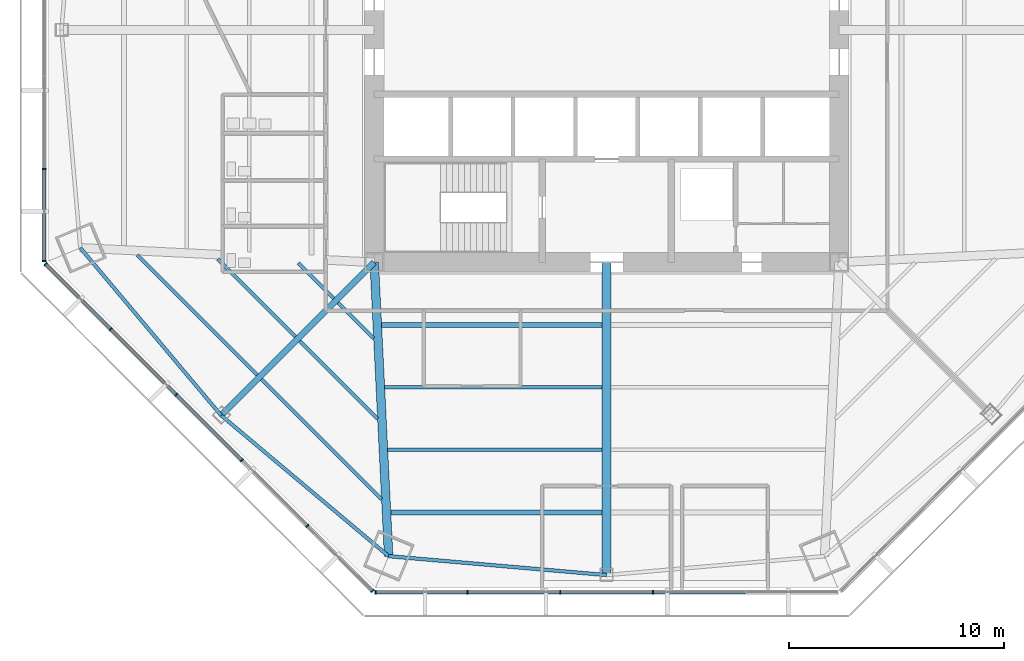
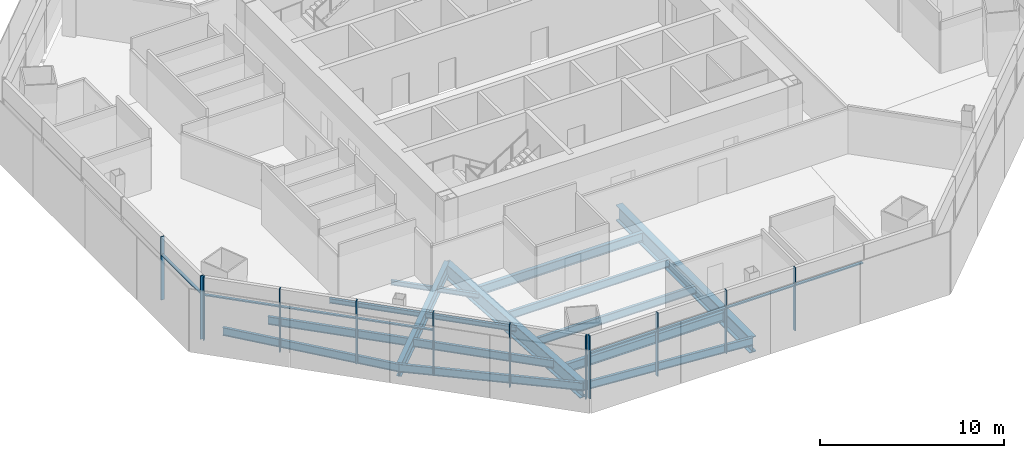
# One storey, part 2 of 15: 20 members, 16 beams, 3 elements without a shape of their own.
"""IFC4 building model written with IfcOpenShell, lengths in metres."""

from ifc_helpers import new_model, si_unit, direction, frame, origin, origin_2d, place, context, subcontext, project, spatial, rectangle, i_section, extrude, source, transform, mapped, material, material_profile, profile_set, type_object, type_shapes, element, aggregate, save


model = new_model("IFC4")

# Units and contexts
model_context = context("Model", 3, precision=1e-05, world=origin(), true_north=direction((0.0, 1.0)))
body_context = subcontext(model_context, "Body", "Model", "MODEL_VIEW")
ifc_project = project(units=[si_unit("LENGTHUNIT", "METRE"), si_unit("AREAUNIT", "SQUARE_METRE"), si_unit("VOLUMEUNIT", "CUBIC_METRE"), si_unit("PLANEANGLEUNIT", "RADIAN"), si_unit("MASSUNIT", "GRAM", prefix="KILO")], contexts=[model_context])

# Site, building, storey
site_placement = place(None, origin())
site = spatial("IfcSite", under=ifc_project, at=site_placement, CompositionType="ELEMENT")
building_placement = place(site_placement, origin())
building = spatial("IfcBuilding", under=site, at=building_placement, Name="Mashrafa Tower", CompositionType="ELEMENT")
storey_placement = place(building_placement, frame((0.0, 0.0, 66.60009765625)))
storey = spatial("IfcBuildingStorey", under=building, at=storey_placement, Name="L14", CompositionType="ELEMENT", Elevation=66.60009765625)

# Beams
ifc_material_1 = material(Name="Steel ASTM A992", Category="steel")
ifc_material_profile_1 = material_profile(ifc_material_1, i_section(OverallWidth=0.164794921875, OverallDepth=0.309814453125, WebThickness=0.005859375, FlangeThickness=0.009765625, FilletRadius=0.007568359375, at=origin_2d()), Name="W12X26")
ifc_profile_set_1 = profile_set([ifc_material_profile_1], Name="Steel ASTM A992")
beam_type_1 = type_object("IfcBeamType", Name="Beam W12X26", PredefinedType="BEAM", material=ifc_profile_set_1)
beam_1_placement = place(storey_placement, frame((-14.460693359375, -14.254150390625, -0.320068359375), z_axis=(-0.707106781187, 0.707106781187, 0.0), x_axis=(-0.707106781187, -0.707106781187, 0.0)))
element("IfcBeam", 1, at=beam_1_placement, inside=storey, type_object=beam_type_1, Name="Floor beam L14 012", PredefinedType="BEAM", context=body_context, shape_type="SweptSolid", body=[
    extrude(i_section(OverallWidth=0.164794921875, OverallDepth=0.309814453125, WebThickness=0.005859375, FlangeThickness=0.009765625, FilletRadius=0.007568359375, at=origin_2d()), origin(), (0.0, 0.0, 1.0), 5.104736328125),
])
for number, where, z_axis, x_axis, name in (
    (2, (-12.681884765625, -12.475341796875, -0.320068359375), (-0.707159169168, 0.707054389324, 0.0), (-0.707054389324, -0.707159169168, 0.0), "Floor beam L14 016"),
    (3, (-10.827880859375, -14.32958984375, -0.320068359375), (-0.707054389324, 0.707159169168, 0.0), (-0.707159169168, -0.707054389324, 0.0), "Floor beam L14 019"),
):
    element("IfcBeam", number, at=place(storey_placement, frame(where, z_axis=z_axis, x_axis=x_axis)), inside=storey, type_object=beam_type_1, Name=name, PredefinedType="BEAM", context=body_context, shape_type="SweptSolid", body=[
        extrude(i_section(OverallWidth=0.164794921875, OverallDepth=0.309814453125, WebThickness=0.005859375, FlangeThickness=0.009765625, FilletRadius=0.007568359375, at=origin_2d()), origin(), (0.0, 0.0, 1.0), 2.330078125),
    ])
beam_2_placement = place(storey_placement, frame((-10.64453125, -18.0703125, -0.320068359375), z_axis=(-0.707106781187, 0.707106781187, 0.0), x_axis=(-0.707106781187, -0.707106781187, 0.0)))
element("IfcBeam", 4, at=beam_2_placement, inside=storey, type_object=beam_type_1, Name="Floor beam L14 021", PredefinedType="BEAM", context=body_context, shape_type="SweptSolid", body=[
    extrude(i_section(OverallWidth=0.164794921875, OverallDepth=0.309814453125, WebThickness=0.005859375, FlangeThickness=0.009765625, FilletRadius=0.007568359375, at=origin_2d()), origin(), (0.0, 0.0, 1.0), 5.104736328125),
])
ifc_material_2 = material(Name="Steel ASTM A992", Category="steel")
ifc_material_profile_2 = material_profile(ifc_material_2, i_section(OverallWidth=0.165771484375, OverallDepth=0.5283203125, WebThickness=0.009765625, FlangeThickness=0.013671875, FilletRadius=0.012939453125, at=origin_2d()), Name="W21X50")
ifc_profile_set_2 = profile_set([ifc_material_profile_2], Name="Steel ASTM A992")
beam_type_2 = type_object("IfcBeamType", Name="Beam W21X50", PredefinedType="BEAM", material=ifc_profile_set_2)
for number, where, z_axis, x_axis, name in (
    (5, (-16.239501953125, -16.03271484375, -0.42919921875), (-0.707106781187, 0.707106781187, 0.0), (-0.707106781187, -0.707106781187, 0.0), "Floor beam L14 009"),
    (6, (-10.461181640625, -21.81103515625, -0.42919921875), (-0.707106781187, 0.707106781187, 0.0), (-0.707106781187, -0.707106781187, 0.0), "Floor beam L14 023"),
):
    element("IfcBeam", number, at=place(storey_placement, frame(where, z_axis=z_axis, x_axis=x_axis)), inside=storey, type_object=beam_type_2, Name=name, PredefinedType="BEAM", context=body_context, shape_type="SweptSolid", body=[
        extrude(i_section(OverallWidth=0.165771484375, OverallDepth=0.5283203125, WebThickness=0.009765625, FlangeThickness=0.013671875, FilletRadius=0.012939453125, at=origin_2d()), origin(), (0.0, 0.0, 1.0), 7.87939453125),
    ])
beam_3_placement = place(storey_placement, frame((-0.20458984375, -19.521240234375, -0.42919921875), z_axis=(-1.0, 0.0, 0.0), x_axis=(0.0, -1.0, 0.0)))
element("IfcBeam", 7, at=beam_3_placement, inside=storey, type_object=beam_type_2, Name="Floor beam L14 026", PredefinedType="BEAM", context=body_context, shape_type="SweptSolid", body=[
    extrude(i_section(OverallWidth=0.165771484375, OverallDepth=0.5283203125, WebThickness=0.009765625, FlangeThickness=0.013671875, FilletRadius=0.012939453125, at=origin_2d()), origin(), (0.0, 0.0, 1.0), 9.967041015625),
])
beam_4_placement = place(storey_placement, frame((-0.20458984375, -16.6142578125, -0.42919921875), z_axis=(-1.0, 0.0, 0.0), x_axis=(0.0, -1.0, 0.0)))
element("IfcBeam", 8, at=beam_4_placement, inside=storey, type_object=beam_type_2, Name="Floor beam L14 027", PredefinedType="BEAM", context=body_context, shape_type="SweptSolid", body=[
    extrude(i_section(OverallWidth=0.165771484375, OverallDepth=0.5283203125, WebThickness=0.009765625, FlangeThickness=0.013671875, FilletRadius=0.012939453125, at=origin_2d()), origin(), (0.0, 0.0, 1.0), 10.109619140625),
])
for number, where, z_axis, x_axis, name in (
    (9, (-24.457275390625, -10.130615234375, -0.42919921875), (0.643409408254, -0.765522261839, 0.0), (0.765522261839, 0.643409408254, 0.0), "Spandrel beam L14 074"),
    (10, (-17.914794921875, -17.914794921875, -0.42919921875), (0.765522261839, -0.643409408254, 0.0), (0.643409408254, 0.765522261839, 0.0), "Spandrel beam L14 076"),
):
    element("IfcBeam", number, at=place(storey_placement, frame(where, z_axis=z_axis, x_axis=x_axis)), inside=storey, type_object=beam_type_2, Name=name, PredefinedType="BEAM", context=body_context, shape_type="SweptSolid", body=[
        extrude(i_section(OverallWidth=0.165771484375, OverallDepth=0.5283203125, WebThickness=0.009765625, FlangeThickness=0.013671875, FilletRadius=0.012939453125, at=origin_2d()), origin(), (0.0, 0.0, 1.0), 10.16845703125),
    ])
beam_5_placement = place(storey_placement, frame((-10.130615234375, -24.457275390625, -0.42919921875), z_axis=(0.996263885627, -0.08636127718, 0.0), x_axis=(0.08636127718, 0.996263885627, 0.0)))
element("IfcBeam", 11, at=beam_5_placement, inside=storey, type_object=beam_type_2, Name="Spandrel beam L14 078", PredefinedType="BEAM", context=body_context, shape_type="SweptSolid", body=[
    extrude(i_section(OverallWidth=0.165771484375, OverallDepth=0.5283203125, WebThickness=0.009765625, FlangeThickness=0.013671875, FilletRadius=0.012939453125, at=origin_2d()), origin(), (0.0, 0.0, 1.0), 10.168701171875),
])
ifc_material_3 = material(Name="Steel ASTM A992", Category="steel")
ifc_material_profile_3 = material_profile(ifc_material_3, i_section(OverallWidth=0.227783203125, OverallDepth=0.60205078125, WebThickness=0.010498046875, FlangeThickness=0.014892578125, FilletRadius=0.012939453125, at=origin_2d()), Name="W24X68")
ifc_profile_set_3 = profile_set([ifc_material_profile_3], Name="Steel ASTM A992")
beam_type_3 = type_object("IfcBeamType", Name="Beam W24X68", PredefinedType="BEAM", material=ifc_profile_set_3)
beam_6_placement = place(storey_placement, frame((-0.20458984375, -22.42822265625, -0.466064453125), z_axis=(-1.0, 0.0, 0.0), x_axis=(0.0, -1.0, 0.0)))
element("IfcBeam", 12, at=beam_6_placement, inside=storey, type_object=beam_type_3, Name="Floor beam L14 025", PredefinedType="BEAM", context=body_context, shape_type="SweptSolid", body=[
    extrude(i_section(OverallWidth=0.227783203125, OverallDepth=0.60205078125, WebThickness=0.010498046875, FlangeThickness=0.014892578125, FilletRadius=0.012939453125, at=origin_2d()), origin(), (0.0, 0.0, 1.0), 9.824462890625),
])
beam_7_placement = place(storey_placement, frame((-0.20458984375, -13.70703125, -0.466064453125), z_axis=(-1.0, 0.0, 0.0), x_axis=(0.0, -1.0, 0.0)))
element("IfcBeam", 13, at=beam_7_placement, inside=storey, type_object=beam_type_3, Name="Floor beam L14 028", PredefinedType="BEAM", context=body_context, shape_type="SweptSolid", body=[
    extrude(i_section(OverallWidth=0.227783203125, OverallDepth=0.60205078125, WebThickness=0.010498046875, FlangeThickness=0.014892578125, FilletRadius=0.012939453125, at=origin_2d()), origin(), (0.0, 0.0, 1.0), 10.251953125),
])
ifc_material_4 = material(Name="Steel ASTM A992", Category="steel")
ifc_material_profile_4 = material_profile(ifc_material_4, i_section(OverallWidth=0.2919921875, OverallDepth=0.8583984375, WebThickness=0.01708984375, FlangeThickness=0.031005859375, FilletRadius=0.017822265625, at=origin_2d()), Name="W33X169")
ifc_profile_set_4 = profile_set([ifc_material_profile_4], Name="Steel ASTM A992")
beam_type_4 = type_object("IfcBeamType", Name="Beam W33X169", PredefinedType="BEAM", material=ifc_profile_set_4)
beam_8_placement = place(storey_placement, frame((-10.800048828125, -10.800048828125, -0.59423828125), z_axis=(-0.707106781187, -0.707106781187, 0.0), x_axis=(0.707106781187, -0.707106781187, 0.0)))
element("IfcBeam", 14, at=beam_8_placement, inside=storey, type_object=beam_type_4, Name="Radial girder L14 058", PredefinedType="BEAM", context=body_context, shape_type="SweptSolid", body=[
    extrude(i_section(OverallWidth=0.2919921875, OverallDepth=0.8583984375, WebThickness=0.01708984375, FlangeThickness=0.031005859375, FilletRadius=0.017822265625, at=origin_2d()), origin(), (0.0, 0.0, 1.0), 10.061767578125),
])
ifc_material_5 = material(Name="Steel ASTM A992", Category="steel")
ifc_material_profile_5 = material_profile(ifc_material_5, i_section(OverallWidth=0.4013671875, OverallDepth=1.010986328125, WebThickness=0.023681640625, FlangeThickness=0.0419921875, FilletRadius=0.02001953125, at=origin_2d()), Name="W40X297")
ifc_profile_set_5 = profile_set([ifc_material_profile_5], Name="Steel ASTM A992")
beam_type_5 = type_object("IfcBeamType", Name="Beam W40X297", PredefinedType="BEAM", material=ifc_profile_set_5)
beam_9_placement = place(storey_placement, frame((-10.800048828125, -10.800048828125, -0.670654296875), z_axis=(0.048958024577, -0.998800836919, 0.0), x_axis=(0.998800836919, 0.048958024577, 0.0)))
element("IfcBeam", 15, at=beam_9_placement, inside=storey, type_object=beam_type_5, Name="Radial girder L14 059", PredefinedType="BEAM", context=body_context, shape_type="SweptSolid", body=[
    extrude(i_section(OverallWidth=0.4013671875, OverallDepth=1.010986328125, WebThickness=0.023681640625, FlangeThickness=0.0419921875, FilletRadius=0.02001953125, at=origin_2d()), origin(), (0.0, 0.0, 1.0), 13.673583984375),
])
ifc_material_6 = material(Name="Steel ASTM A992", Category="steel")
ifc_material_profile_6 = material_profile(ifc_material_6, i_section(OverallWidth=0.408935546875, OverallDepth=1.04150390625, WebThickness=0.031005859375, FlangeThickness=0.055908203125, FilletRadius=0.020263671875, at=origin_2d()), Name="W40X397")
ifc_profile_set_6 = profile_set([ifc_material_profile_6], Name="Steel ASTM A992")
beam_type_6 = type_object("IfcBeamType", Name="Beam W40X397", PredefinedType="BEAM", material=ifc_profile_set_6)
beam_10_placement = place(storey_placement, frame((0.0, -10.800048828125, -0.685791015625), z_axis=(0.0, -1.0, 0.0), x_axis=(1.0, 0.0, 0.0)))
element("IfcBeam", 16, at=beam_10_placement, inside=storey, type_object=beam_type_6, Name="Radial girder L14 064", PredefinedType="BEAM", context=body_context, shape_type="SweptSolid", body=[
    extrude(i_section(OverallWidth=0.408935546875, OverallDepth=1.04150390625, WebThickness=0.031005859375, FlangeThickness=0.055908203125, FilletRadius=0.020263671875, at=origin_2d()), origin(), (0.0, 0.0, 1.0), 14.535400390625),
])

# Curtain wall, members
ifc_material_7 = material(Name="Unitised aluminium curtain wall", Category="aluminium")
curtain_wall_type = type_object("IfcCurtainWallType", Name="Office curtain wall, zone 1 CW-A 200 deep", PredefinedType="NOTDEFINED", material=ifc_material_7)
curtain_wall_1_placement = place(storey_placement, origin())
curtain_wall_1 = element("IfcCurtainWall", 17, at=curtain_wall_1_placement, inside=storey, type_object=curtain_wall_type, Name="Office curtain wall, zone 1 L14 west", PredefinedType="NOTDEFINED")
ifc_material_8 = material(Name="Extruded aluminium mullion", Category="aluminium")
ifc_material_profile_7 = material_profile(ifc_material_8, rectangle(XDim=0.199951171875, YDim=0.06494140625, at=origin_2d()), Name="Mullion 65x200")
ifc_profile_set_7 = profile_set([ifc_material_profile_7], Name="Extruded aluminium mullion")
member_type_1 = type_object("IfcMemberType", Name="Mullion CW-A 65 x 200", PredefinedType="MULLION", material=ifc_profile_set_7)
shared_shape_1 = source(origin(), body_context, "Body", "SweptSolid", [
    extrude(rectangle(XDim=0.199951171875, YDim=0.06494140625, at=origin_2d()), origin(), (0.0, 0.0, 1.0), 4.199951171875),
])
type_shapes(member_type_1, [shared_shape_1])
member_1_placement = place(storey_placement, frame((-26.130615234375, -6.46337890625, 0.0), z_axis=(0.0, 0.0, 1.0), x_axis=(1.0, 0.0, 0.0)))
member_1 = element("IfcMember", 18, at=member_1_placement, type_object=member_type_1, Name="CW-A mullion 5", PredefinedType="MULLION", context=body_context, shape_type="MappedRepresentation", body=[
    mapped(shared_shape_1, transform((0.0, 0.0, 0.0))),
])
member_2_placement = place(storey_placement, frame((-26.130615234375, -10.73974609375, 0.0), z_axis=(0.0, 0.0, 1.0), x_axis=(1.0, 0.0, 0.0)))
member_2 = element("IfcMember", 19, at=member_2_placement, type_object=member_type_1, Name="CW-A mullion 6", PredefinedType="MULLION", context=body_context, shape_type="MappedRepresentation", body=[
    mapped(shared_shape_1, transform((0.0, 0.0, 0.0))),
])

curtain_wall_2_placement = place(storey_placement, origin())
curtain_wall_2 = element("IfcCurtainWall", 20, at=curtain_wall_2_placement, inside=storey, type_object=curtain_wall_type, Name="Office curtain wall, zone 1 L14 south-west", PredefinedType="NOTDEFINED")
member_3_placement = place(storey_placement, frame((-26.0712890625, -10.883056640625, 0.0), z_axis=(0.0, 0.0, 1.0), x_axis=(0.707106781187, 0.707106781187, 0.0)))
member_3 = element("IfcMember", 21, at=member_3_placement, type_object=member_type_1, Name="CW-A mullion 1", PredefinedType="MULLION", context=body_context, shape_type="MappedRepresentation", body=[
    mapped(shared_shape_1, transform((0.0, 0.0, 0.0))),
])
member_4_placement = place(storey_placement, frame((-23.04736328125, -13.906982421875, 0.0), z_axis=(0.0, 0.0, 1.0), x_axis=(0.707106781187, 0.707106781187, 0.0)))
member_4 = element("IfcMember", 22, at=member_4_placement, type_object=member_type_1, Name="CW-A mullion 2", PredefinedType="MULLION", context=body_context, shape_type="MappedRepresentation", body=[
    mapped(shared_shape_1, transform((0.0, 0.0, 0.0))),
])
member_5_placement = place(storey_placement, frame((-20.000732421875, -16.953857421875, 0.0), z_axis=(0.0, 0.0, 1.0), x_axis=(0.707106781187, 0.707106781187, 0.0)))
member_5 = element("IfcMember", 23, at=member_5_placement, type_object=member_type_1, Name="CW-A mullion 3", PredefinedType="MULLION", context=body_context, shape_type="MappedRepresentation", body=[
    mapped(shared_shape_1, transform((0.0, 0.0, 0.0))),
])
member_6_placement = place(storey_placement, frame((-16.953857421875, -20.000732421875, 0.0), z_axis=(0.0, 0.0, 1.0), x_axis=(0.707106781187, 0.707106781187, 0.0)))
member_6 = element("IfcMember", 24, at=member_6_placement, type_object=member_type_1, Name="CW-A mullion 4", PredefinedType="MULLION", context=body_context, shape_type="MappedRepresentation", body=[
    mapped(shared_shape_1, transform((0.0, 0.0, 0.0))),
])
member_7_placement = place(storey_placement, frame((-13.906982421875, -23.04736328125, 0.0), z_axis=(0.0, 0.0, 1.0), x_axis=(0.707106781187, 0.707106781187, 0.0)))
member_7 = element("IfcMember", 25, at=member_7_placement, type_object=member_type_1, Name="CW-A mullion 5", PredefinedType="MULLION", context=body_context, shape_type="MappedRepresentation", body=[
    mapped(shared_shape_1, transform((0.0, 0.0, 0.0))),
])
member_8_placement = place(storey_placement, frame((-10.883056640625, -26.0712890625, 0.0), z_axis=(0.0, 0.0, 1.0), x_axis=(0.707106781187, 0.707106781187, 0.0)))
member_8 = element("IfcMember", 26, at=member_8_placement, type_object=member_type_1, Name="CW-A mullion 6", PredefinedType="MULLION", context=body_context, shape_type="MappedRepresentation", body=[
    mapped(shared_shape_1, transform((0.0, 0.0, 0.0))),
])

curtain_wall_3_placement = place(storey_placement, origin())
curtain_wall_3 = element("IfcCurtainWall", 27, at=curtain_wall_3_placement, inside=storey, type_object=curtain_wall_type, Name="Office curtain wall, zone 1 L14 south", PredefinedType="NOTDEFINED")
member_9_placement = place(storey_placement, frame((-10.73974609375, -26.130615234375, 0.0), z_axis=(0.0, 0.0, 1.0), x_axis=(0.0, 1.0, 0.0)))
member_9 = element("IfcMember", 28, at=member_9_placement, type_object=member_type_1, Name="CW-A mullion 1", PredefinedType="MULLION", context=body_context, shape_type="MappedRepresentation", body=[
    mapped(shared_shape_1, transform((0.0, 0.0, 0.0))),
])
member_10_placement = place(storey_placement, frame((-6.46337890625, -26.130615234375, 0.0), z_axis=(0.0, 0.0, 1.0), x_axis=(0.0, 1.0, 0.0)))
member_10 = element("IfcMember", 29, at=member_10_placement, type_object=member_type_1, Name="CW-A mullion 2", PredefinedType="MULLION", context=body_context, shape_type="MappedRepresentation", body=[
    mapped(shared_shape_1, transform((0.0, 0.0, 0.0))),
])
member_11_placement = place(storey_placement, frame((-2.154541015625, -26.130615234375, 0.0), z_axis=(0.0, 0.0, 1.0), x_axis=(0.0, 1.0, 0.0)))
member_11 = element("IfcMember", 30, at=member_11_placement, type_object=member_type_1, Name="CW-A mullion 3", PredefinedType="MULLION", context=body_context, shape_type="MappedRepresentation", body=[
    mapped(shared_shape_1, transform((0.0, 0.0, 0.0))),
])
member_12_placement = place(storey_placement, frame((2.154541015625, -26.130615234375, 0.0), z_axis=(0.0, 0.0, 1.0), x_axis=(0.0, 1.0, 0.0)))
member_12 = element("IfcMember", 31, at=member_12_placement, type_object=member_type_1, Name="CW-A mullion 4", PredefinedType="MULLION", context=body_context, shape_type="MappedRepresentation", body=[
    mapped(shared_shape_1, transform((0.0, 0.0, 0.0))),
])

# Member
ifc_material_9 = material(Name="Extruded aluminium transom", Category="aluminium")
ifc_material_profile_8 = material_profile(ifc_material_9, rectangle(XDim=0.159912109375, YDim=0.080078125, at=origin_2d()), Name="Transom 80x160")
ifc_profile_set_8 = profile_set([ifc_material_profile_8], Name="Extruded aluminium transom")
member_type_2 = type_object("IfcMemberType", Name="Transom CW-A 80 x 160", PredefinedType="MULLION", material=ifc_profile_set_8)
shared_shape_2 = source(origin(), body_context, "Body", "SweptSolid", [
    extrude(rectangle(XDim=0.159912109375, YDim=0.080078125, at=origin_2d()), origin(), (0.0, 0.0, 1.0), 4.21142578125),
])
member_13_placement = place(storey_placement, frame((-26.130615234375, -6.495849609375, 3.0), z_axis=(0.0, -1.0, 0.0), x_axis=(1.0, 0.0, 0.0)))
member_13 = element("IfcMember", 32, at=member_13_placement, type_object=member_type_2, Name="CW-A transom 5", PredefinedType="MULLION", context=body_context, shape_type="MappedRepresentation", body=[
    mapped(shared_shape_2, transform((0.0, 0.0, 0.0))),
])

aggregate(curtain_wall_1, [member_1, member_2, member_13])

member_14_placement = place(storey_placement, frame((-26.04833984375, -10.906005859375, 3.0), z_axis=(0.707077794867, -0.707135766318, 0.0), x_axis=(0.707135766318, 0.707077794867, 0.0)))
member_14 = element("IfcMember", 33, at=member_14_placement, type_object=member_type_2, Name="CW-A transom 1", PredefinedType="MULLION", context=body_context, shape_type="MappedRepresentation", body=[
    mapped(shared_shape_2, transform((0.0, 0.0, 0.0))),
])

member_15_placement = place(storey_placement, frame((-10.707275390625, -26.130615234375, 3.0), z_axis=(1.0, 0.0, 0.0), x_axis=(0.0, 1.0, 0.0)))
member_15 = element("IfcMember", 34, at=member_15_placement, type_object=member_type_2, Name="CW-A transom 1", PredefinedType="MULLION", context=body_context, shape_type="MappedRepresentation", body=[
    mapped(shared_shape_2, transform((0.0, 0.0, 0.0))),
])

shared_shape_3 = source(origin(), body_context, "Body", "SweptSolid", [
    extrude(rectangle(XDim=0.159912109375, YDim=0.080078125, at=origin_2d()), origin(), (0.0, 0.0, 1.0), 4.243896484375),
])
member_16_placement = place(storey_placement, frame((-6.430908203125, -26.130615234375, 3.0), z_axis=(1.0, 0.0, 0.0), x_axis=(0.0, 1.0, 0.0)))
member_16 = element("IfcMember", 35, at=member_16_placement, type_object=member_type_2, Name="CW-A transom 2", PredefinedType="MULLION", context=body_context, shape_type="MappedRepresentation", body=[
    mapped(shared_shape_3, transform((0.0, 0.0, 0.0))),
])

member_17_placement = place(storey_placement, frame((2.18701171875, -26.130615234375, 3.0), z_axis=(1.0, 0.0, 0.0), x_axis=(0.0, 1.0, 0.0)))
member_17 = element("IfcMember", 36, at=member_17_placement, type_object=member_type_2, Name="CW-A transom 4", PredefinedType="MULLION", context=body_context, shape_type="MappedRepresentation", body=[
    mapped(shared_shape_3, transform((0.0, 0.0, 0.0))),
])

shared_shape_4 = source(origin(), body_context, "Body", "SweptSolid", [
    extrude(rectangle(XDim=0.159912109375, YDim=0.080078125, at=origin_2d()), origin(), (0.0, 0.0, 1.0), 4.244140625),
])
member_18_placement = place(storey_placement, frame((-2.1220703125, -26.130615234375, 3.0), z_axis=(1.0, 0.0, 0.0), x_axis=(0.0, 1.0, 0.0)))
member_18 = element("IfcMember", 37, at=member_18_placement, type_object=member_type_2, Name="CW-A transom 3", PredefinedType="MULLION", context=body_context, shape_type="MappedRepresentation", body=[
    mapped(shared_shape_4, transform((0.0, 0.0, 0.0))),
])

aggregate(curtain_wall_3, [member_9, member_10, member_11, member_12, member_15, member_16, member_18, member_17])

shared_shape_5 = source(origin(), body_context, "Body", "SweptSolid", [
    extrude(rectangle(XDim=0.159912109375, YDim=0.080078125, at=origin_2d()), origin(), (0.0, 0.0, 1.0), 4.24365234375),
])
type_shapes(member_type_2, [shared_shape_2, shared_shape_3, shared_shape_4, shared_shape_5])
member_19_placement = place(storey_placement, frame((-23.0244140625, -13.929931640625, 3.0), z_axis=(0.707106781187, -0.707106781187, 0.0), x_axis=(0.707106781187, 0.707106781187, 0.0)))
member_19 = element("IfcMember", 38, at=member_19_placement, type_object=member_type_2, Name="CW-A transom 2", PredefinedType="MULLION", context=body_context, shape_type="MappedRepresentation", body=[
    mapped(shared_shape_5, transform((0.0, 0.0, 0.0))),
])

member_20_placement = place(storey_placement, frame((-19.9775390625, -16.976806640625, 3.0), z_axis=(0.707106781187, -0.707106781187, 0.0), x_axis=(0.707106781187, 0.707106781187, 0.0)))
member_20 = element("IfcMember", 39, at=member_20_placement, type_object=member_type_2, Name="CW-A transom 3", PredefinedType="MULLION", context=body_context, shape_type="MappedRepresentation", body=[
    mapped(shared_shape_5, transform((0.0, 0.0, 0.0))),
])

aggregate(curtain_wall_2, [member_3, member_4, member_5, member_6, member_7, member_8, member_14, member_19, member_20])

save(model, "model.ifc")
